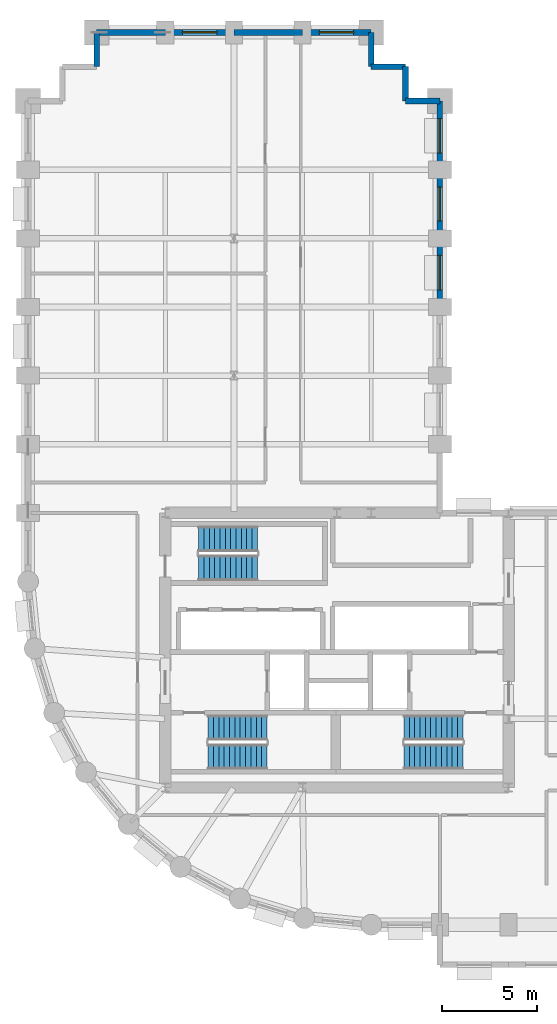
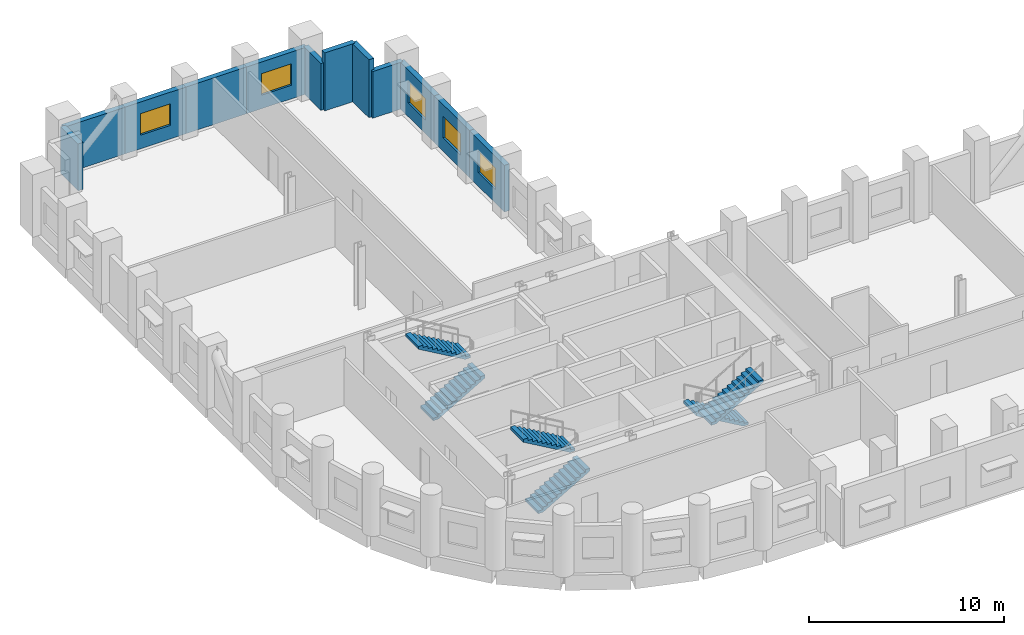
# One storey, part 9 of 12: 12 walls, 6 stair flights, 5 windows, 5 openings, 3 elements without a shape of their own.
"""IFC4 building model written with IfcOpenShell, lengths in metres."""

from ifc_helpers import new_model, si_unit, direction, frame, frame_2d, origin, place, context, subcontext, project, spatial, polyline, rectangle, outline, extrude, material, layer, layer_set, type_object, element, fill, aggregate, save


model = new_model("IFC4")

# Units and contexts
model_context = context("Model", 3, precision=1e-05, world=origin(), true_north=direction((0.0, 1.0)))
body_context = subcontext(model_context, "Body", "Model", "MODEL_VIEW")
ifc_project = project(units=[si_unit("LENGTHUNIT", "METRE"), si_unit("AREAUNIT", "SQUARE_METRE"), si_unit("VOLUMEUNIT", "CUBIC_METRE"), si_unit("PLANEANGLEUNIT", "RADIAN"), si_unit("MASSUNIT", "GRAM", prefix="KILO")], contexts=[model_context])

# Site, building, storey
site_placement = place(None, origin())
site = spatial("IfcSite", under=ifc_project, at=site_placement, CompositionType="ELEMENT")
building_placement = place(site_placement, origin())
building = spatial("IfcBuilding", under=site, at=building_placement, Name="Solnavia Interchange Tower", CompositionType="ELEMENT")
storey_placement = place(building_placement, frame((0.0, 0.0, 31.800048828125)))
storey = spatial("IfcBuildingStorey", under=building, at=storey_placement, Name="L07", CompositionType="ELEMENT", Elevation=31.800048828125)

# Wall, opening, window
ifc_material_1 = material(Name="Concrete C40/50", Category="concrete")
ifc_layer = layer(ifc_material_1, 0.300048828125)
ifc_layer_set = layer_set([ifc_layer], Name="Concrete C40/50")
wall_type = type_object("IfcWallType", Name="Wall-ExtSpandrel-300", PredefinedType="STANDARD", material=ifc_layer_set)
wall_1_placement = place(storey_placement, frame((28.800048828125, 36.0, 0.0), z_axis=(0.0, 0.0, 1.0), x_axis=(0.0, 1.0, 0.0)))
wall_1 = element("IfcWall", 1, at=wall_1_placement, inside=storey, type_object=wall_type, Name="EXW-L07-35 Exterior precast spandrel wall", PredefinedType="STANDARD", context=body_context, shape_type="SweptSolid", body=[
    extrude(rectangle(XDim=3.60009765625, YDim=0.300048828125, at=frame_2d((1.800048828125, 0.0))), origin(), (0.0, 0.0, 1.0), 2.929931640625),
])
opening_1_placement = place(wall_1_placement, frame((0.89990234375, 0.0, 0.85009765625)))
opening_1 = element("IfcOpeningElement", 2, at=opening_1_placement, cuts=wall_1, Name="Opening WIN-02", PredefinedType="OPENING", context=body_context, shape_type="SweptSolid", body=[
    extrude(rectangle(XDim=1.800048828125, YDim=1.35009765625, at=frame_2d((0.89990234375, 0.675048828125))), frame((0.0, 0.16015625, 0.0), z_axis=(0.0, -1.0, 0.0), x_axis=(1.0, 0.0, 0.0)), (0.0, 0.0, 1.0), 0.320068359375),
])
ifc_material_2 = material(Name="Thermal-Break Aluminium & Low-E Glass", Category="aluminium")
window_type = type_object("IfcWindowType", Name="Window-Ribbon-1800x1350", PartitioningType="SINGLE_PANEL", PredefinedType="WINDOW", material=ifc_material_2)
window_1_placement = place(opening_1_placement, origin())
window_1 = element("IfcWindow", 3, at=window_1_placement, inside=storey, type_object=window_type, Name="WIN-L07-35 Facade ribbon window", OverallHeight=1.35009765625, OverallWidth=1.800048828125, PartitioningType="SINGLE_PANEL", PredefinedType="WINDOW", context=body_context, shape_type="SweptSolid", body=[
    extrude(rectangle(XDim=1.800048828125, YDim=1.35009765625, at=frame_2d((0.89990234375, 0.675048828125))), frame((0.0, 0.030029296875, 0.0), z_axis=(0.0, -1.0, 0.0), x_axis=(1.0, 0.0, 0.0)), (0.0, 0.0, 1.0), 0.06005859375),
])
fill(opening_1, window_1)

wall_2_placement = place(storey_placement, frame((28.800048828125, 39.60009765625, 0.0), z_axis=(0.0, 0.0, 1.0), x_axis=(0.0, 1.0, 0.0)))
wall_2 = element("IfcWall", 4, at=wall_2_placement, inside=storey, type_object=wall_type, Name="EXW-L07-36 Exterior precast spandrel wall", PredefinedType="STANDARD", context=body_context, shape_type="SweptSolid", body=[
    extrude(rectangle(XDim=3.599853515625, YDim=0.300048828125, at=frame_2d((1.7998046875, 0.0))), origin(), (0.0, 0.0, 1.0), 2.929931640625),
])
opening_2_placement = place(wall_2_placement, frame((0.89990234375, 0.0, 0.85009765625)))
opening_2 = element("IfcOpeningElement", 5, at=opening_2_placement, cuts=wall_2, Name="Opening WIN-02", PredefinedType="OPENING", context=body_context, shape_type="SweptSolid", body=[
    extrude(rectangle(XDim=1.800048828125, YDim=1.35009765625, at=frame_2d((0.89990234375, 0.675048828125))), frame((0.0, 0.16015625, 0.0), z_axis=(0.0, -1.0, 0.0), x_axis=(1.0, 0.0, 0.0)), (0.0, 0.0, 1.0), 0.320068359375),
])
window_2_placement = place(opening_2_placement, origin())
window_2 = element("IfcWindow", 6, at=window_2_placement, inside=storey, type_object=window_type, Name="WIN-L07-36 Facade ribbon window", OverallHeight=1.35009765625, OverallWidth=1.800048828125, PartitioningType="SINGLE_PANEL", PredefinedType="WINDOW", context=body_context, shape_type="SweptSolid", body=[
    extrude(rectangle(XDim=1.800048828125, YDim=1.35009765625, at=frame_2d((0.89990234375, 0.675048828125))), frame((0.0, 0.030029296875, 0.0), z_axis=(0.0, -1.0, 0.0), x_axis=(1.0, 0.0, 0.0)), (0.0, 0.0, 1.0), 0.06005859375),
])
fill(opening_2, window_2)

wall_3_placement = place(storey_placement, frame((28.800048828125, 43.199951171875, 0.0), z_axis=(0.0, 0.0, 1.0), x_axis=(0.0, 1.0, 0.0)))
wall_3 = element("IfcWall", 7, at=wall_3_placement, inside=storey, type_object=wall_type, Name="EXW-L07-37 Exterior precast spandrel wall", PredefinedType="STANDARD", context=body_context, shape_type="SweptSolid", body=[
    extrude(rectangle(XDim=3.60009765625, YDim=0.300048828125, at=frame_2d((1.800048828125, 0.0))), origin(), (0.0, 0.0, 1.0), 2.929931640625),
])
opening_3_placement = place(wall_3_placement, frame((0.875, 0.0, 0.85009765625)))
opening_3 = element("IfcOpeningElement", 8, at=opening_3_placement, cuts=wall_3, Name="Opening WIN-02", PredefinedType="OPENING", context=body_context, shape_type="SweptSolid", body=[
    extrude(rectangle(XDim=1.800048828125, YDim=1.35009765625, at=frame_2d((0.89990234375, 0.675048828125))), frame((0.0, 0.16015625, 0.0), z_axis=(0.0, -1.0, 0.0), x_axis=(1.0, 0.0, 0.0)), (0.0, 0.0, 1.0), 0.320068359375),
])
window_3_placement = place(opening_3_placement, origin())
window_3 = element("IfcWindow", 9, at=window_3_placement, inside=storey, type_object=window_type, Name="WIN-L07-37 Facade ribbon window", OverallHeight=1.35009765625, OverallWidth=1.800048828125, PartitioningType="SINGLE_PANEL", PredefinedType="WINDOW", context=body_context, shape_type="SweptSolid", body=[
    extrude(rectangle(XDim=1.800048828125, YDim=1.35009765625, at=frame_2d((0.89990234375, 0.675048828125))), frame((0.0, 0.030029296875, 0.0), z_axis=(0.0, -1.0, 0.0), x_axis=(1.0, 0.0, 0.0)), (0.0, 0.0, 1.0), 0.06005859375),
])
fill(opening_3, window_3)

# Walls
wall_4_placement = place(storey_placement, frame((27.0, 46.800048828125, 0.0), z_axis=(0.0, 0.0, 1.0), x_axis=(1.0, 0.0, 0.0)))
element("IfcWall", 10, at=wall_4_placement, inside=storey, type_object=wall_type, Name="EXW-L07-38 Exterior precast spandrel wall", PredefinedType="STANDARD", context=body_context, shape_type="SweptSolid", body=[
    extrude(rectangle(XDim=1.800048828125, YDim=0.300048828125, at=frame_2d((0.89990234375, 0.0))), origin(), (0.0, 0.0, 1.0), 2.929931640625),
])
for number, where, z_axis, x_axis, name in (
    (11, (27.0, 46.800048828125, 0.0), (0.0, 0.0, 1.0), (0.0, 1.0, 0.0), "EXW-L07-39 Exterior precast spandrel wall"),
    (12, (25.199951171875, 48.60009765625, 0.0), (0.0, 0.0, 1.0), (1.0, 0.0, 0.0), "EXW-L07-40 Exterior precast spandrel wall"),
):
    element("IfcWall", number, at=place(storey_placement, frame(where, z_axis=z_axis, x_axis=x_axis)), inside=storey, type_object=wall_type, Name=name, PredefinedType="STANDARD", context=body_context, shape_type="SweptSolid", body=[
        extrude(rectangle(XDim=1.800048828125, YDim=0.300048828125, at=frame_2d((0.89990234375, 0.0))), origin(), (0.0, 0.0, 1.0), 3.635009765625),
    ])
wall_5_placement = place(storey_placement, frame((25.199951171875, 48.60009765625, 0.0), z_axis=(0.0, 0.0, 1.0), x_axis=(0.0, 1.0, 0.0)))
element("IfcWall", 13, at=wall_5_placement, inside=storey, type_object=wall_type, Name="EXW-L07-41 Exterior precast spandrel wall", PredefinedType="STANDARD", context=body_context, shape_type="SweptSolid", body=[
    extrude(rectangle(XDim=1.7998046875, YDim=0.300048828125, at=frame_2d((0.89990234375, 0.0))), origin(), (0.0, 0.0, 1.0), 2.929931640625),
])

# Wall, opening, window
wall_6_placement = place(storey_placement, frame((21.60009765625, 50.39990234375, 0.0), z_axis=(0.0, 0.0, 1.0), x_axis=(1.0, 0.0, 0.0)))
wall_6 = element("IfcWall", 14, at=wall_6_placement, inside=storey, type_object=wall_type, Name="EXW-L07-42 Exterior precast spandrel wall", PredefinedType="STANDARD", context=body_context, shape_type="SweptSolid", body=[
    extrude(rectangle(XDim=3.599853515625, YDim=0.300048828125, at=frame_2d((1.7998046875, 0.0))), origin(), (0.0, 0.0, 1.0), 2.929931640625),
])
opening_4_placement = place(wall_6_placement, frame((0.875, 0.0, 0.85009765625)))
opening_4 = element("IfcOpeningElement", 15, at=opening_4_placement, cuts=wall_6, Name="Opening WIN-02", PredefinedType="OPENING", context=body_context, shape_type="SweptSolid", body=[
    extrude(rectangle(XDim=1.800048828125, YDim=1.35009765625, at=frame_2d((0.89990234375, 0.675048828125))), frame((0.0, 0.16015625, 0.0), z_axis=(0.0, -1.0, 0.0), x_axis=(1.0, 0.0, 0.0)), (0.0, 0.0, 1.0), 0.320068359375),
])
window_4_placement = place(opening_4_placement, origin())
window_4 = element("IfcWindow", 16, at=window_4_placement, inside=storey, type_object=window_type, Name="WIN-L07-42 Facade ribbon window", OverallHeight=1.35009765625, OverallWidth=1.800048828125, PartitioningType="SINGLE_PANEL", PredefinedType="WINDOW", context=body_context, shape_type="SweptSolid", body=[
    extrude(rectangle(XDim=1.800048828125, YDim=1.35009765625, at=frame_2d((0.89990234375, 0.675048828125))), frame((0.0, 0.030029296875, 0.0), z_axis=(0.0, -1.0, 0.0), x_axis=(1.0, 0.0, 0.0)), (0.0, 0.0, 1.0), 0.06005859375),
])
fill(opening_4, window_4)

# Wall
wall_7_placement = place(storey_placement, frame((18.0, 50.39990234375, 0.0), z_axis=(0.0, 0.0, 1.0), x_axis=(1.0, 0.0, 0.0)))
element("IfcWall", 17, at=wall_7_placement, inside=storey, type_object=wall_type, Name="EXW-L07-43 Exterior precast spandrel wall", PredefinedType="STANDARD", context=body_context, shape_type="SweptSolid", body=[
    extrude(rectangle(XDim=3.60009765625, YDim=0.300048828125, at=frame_2d((1.800048828125, 0.0))), origin(), (0.0, 0.0, 1.0), 2.929931640625),
])

# Wall, opening, window
wall_8_placement = place(storey_placement, frame((14.39990234375, 50.39990234375, 0.0), z_axis=(0.0, 0.0, 1.0), x_axis=(1.0, 0.0, 0.0)))
wall_8 = element("IfcWall", 18, at=wall_8_placement, inside=storey, type_object=wall_type, Name="EXW-L07-44 Exterior precast spandrel wall", PredefinedType="STANDARD", context=body_context, shape_type="SweptSolid", body=[
    extrude(rectangle(XDim=3.60009765625, YDim=0.300048828125, at=frame_2d((1.800048828125, 0.0))), origin(), (0.0, 0.0, 1.0), 2.929931640625),
])
opening_5_placement = place(wall_8_placement, frame((0.89990234375, 0.0, 0.85009765625)))
opening_5 = element("IfcOpeningElement", 19, at=opening_5_placement, cuts=wall_8, Name="Opening WIN-02", PredefinedType="OPENING", context=body_context, shape_type="SweptSolid", body=[
    extrude(rectangle(XDim=1.800048828125, YDim=1.35009765625, at=frame_2d((0.89990234375, 0.675048828125))), frame((0.0, 0.16015625, 0.0), z_axis=(0.0, -1.0, 0.0), x_axis=(1.0, 0.0, 0.0)), (0.0, 0.0, 1.0), 0.320068359375),
])
window_5_placement = place(opening_5_placement, origin())
window_5 = element("IfcWindow", 20, at=window_5_placement, inside=storey, type_object=window_type, Name="WIN-L07-44 Facade ribbon window", OverallHeight=1.35009765625, OverallWidth=1.800048828125, PartitioningType="SINGLE_PANEL", PredefinedType="WINDOW", context=body_context, shape_type="SweptSolid", body=[
    extrude(rectangle(XDim=1.800048828125, YDim=1.35009765625, at=frame_2d((0.89990234375, 0.675048828125))), frame((0.0, 0.030029296875, 0.0), z_axis=(0.0, -1.0, 0.0), x_axis=(1.0, 0.0, 0.0)), (0.0, 0.0, 1.0), 0.06005859375),
])
fill(opening_5, window_5)

# Walls
wall_9_placement = place(storey_placement, frame((10.800048828125, 50.39990234375, 0.0), z_axis=(0.0, 0.0, 1.0), x_axis=(1.0, 0.0, 0.0)))
element("IfcWall", 21, at=wall_9_placement, inside=storey, type_object=wall_type, Name="EXW-L07-45 Exterior precast spandrel wall", PredefinedType="STANDARD", context=body_context, shape_type="SweptSolid", body=[
    extrude(rectangle(XDim=3.599853515625, YDim=0.300048828125, at=frame_2d((1.7998046875, 0.0))), origin(), (0.0, 0.0, 1.0), 2.929931640625),
])
wall_10_placement = place(storey_placement, frame((10.800048828125, 48.60009765625, 0.0), z_axis=(0.0, 0.0, 1.0), x_axis=(0.0, 1.0, 0.0)))
element("IfcWall", 22, at=wall_10_placement, inside=storey, type_object=wall_type, Name="EXW-L07-46 Exterior precast spandrel wall", PredefinedType="STANDARD", context=body_context, shape_type="SweptSolid", body=[
    extrude(rectangle(XDim=1.7998046875, YDim=0.300048828125, at=frame_2d((0.89990234375, 0.0))), origin(), (0.0, 0.0, 1.0), 2.929931640625),
])

# Stair, stair flights
stair_type = type_object("IfcStairType", Name="Stair-Dogleg-RC", PredefinedType="HALF_TURN_STAIR", material=ifc_material_1)
stair_1_placement = place(storey_placement, origin())
stair_1 = element("IfcStair", 23, at=stair_1_placement, inside=storey, type_object=stair_type, Name="L07 Core exit stair 1", PredefinedType="HALF_TURN_STAIR")
stair_flight_type = type_object("IfcStairFlightType", Name="StairFlight-RC-150", PredefinedType="STRAIGHT", material=ifc_material_1)
stair_flight_1_placement = place(storey_placement, frame((16.64990234375, 12.409912109375, 0.0), z_axis=(0.0, 0.0, 1.0), x_axis=(1.0, 0.0, 0.0)))
stair_flight_1 = element("IfcStairFlight", 24, at=stair_flight_1_placement, type_object=stair_flight_type, Name="ST-1 flight 1", NumberOfRisers=12, NumberOfTreads=11, PredefinedType="STRAIGHT", RiserHeight=0.1625, TreadLength=0.28, context=body_context, shape_type="SweptSolid", body=[
    extrude(outline(polyline([(0.0, 0.0), (0.0, 0.16259765625), (0.280029296875, 0.16259765625), (0.280029296875, 0.324951171875), (0.56005859375, 0.324951171875), (0.56005859375, 0.487548828125), (0.840087890625, 0.487548828125), (0.840087890625, 0.64990234375), (1.1201171875, 0.64990234375), (1.1201171875, 0.8125), (1.39990234375, 0.8125), (1.39990234375, 0.97509765625), (1.679931640625, 0.97509765625), (1.679931640625, 1.137451171875), (1.9599609375, 1.137451171875), (1.9599609375, 1.300048828125), (2.239990234375, 1.300048828125), (2.239990234375, 1.46240234375), (2.52001953125, 1.46240234375), (2.52001953125, 1.625), (2.800048828125, 1.625), (2.800048828125, 1.78759765625), (3.080078125, 1.78759765625), (3.080078125, 1.949951171875), (3.080078125, 1.6142578125), (0.298583984375, 0.0), (0.0, 0.0)])), frame((0.0, 0.66015625, 0.0), z_axis=(0.0, -1.0, 0.0), x_axis=(1.0, 0.0, 0.0)), (0.0, 0.0, 1.0), 1.320068359375),
])
stair_flight_2_placement = place(storey_placement, frame((19.72998046875, 13.929931640625, 1.949951171875), z_axis=(0.0, 0.0, 1.0), x_axis=(-1.0, 0.0, 0.0)))
stair_flight_2 = element("IfcStairFlight", 25, at=stair_flight_2_placement, type_object=stair_flight_type, Name="ST-1 flight 2", NumberOfRisers=12, NumberOfTreads=11, PredefinedType="STRAIGHT", RiserHeight=0.1625, TreadLength=0.28, context=body_context, shape_type="SweptSolid", body=[
    extrude(outline(polyline([(0.0, 0.0), (0.0, 0.16259765625), (0.280029296875, 0.16259765625), (0.280029296875, 0.324951171875), (0.56005859375, 0.324951171875), (0.56005859375, 0.487548828125), (0.840087890625, 0.487548828125), (0.840087890625, 0.64990234375), (1.1201171875, 0.64990234375), (1.1201171875, 0.8125), (1.39990234375, 0.8125), (1.39990234375, 0.97509765625), (1.679931640625, 0.97509765625), (1.679931640625, 1.137451171875), (1.9599609375, 1.137451171875), (1.9599609375, 1.300048828125), (2.239990234375, 1.300048828125), (2.239990234375, 1.46240234375), (2.52001953125, 1.46240234375), (2.52001953125, 1.625), (2.800048828125, 1.625), (2.800048828125, 1.78759765625), (3.080078125, 1.78759765625), (3.080078125, 1.949951171875), (3.080078125, 1.6142578125), (0.298583984375, 0.0), (0.0, 0.0)])), frame((0.0, 0.66015625, 0.0), z_axis=(0.0, -1.0, 0.0), x_axis=(1.0, 0.0, 0.0)), (0.0, 0.0, 1.0), 1.320068359375),
])
aggregate(stair_1, [stair_flight_1, stair_flight_2])

stair_2_placement = place(storey_placement, origin())
stair_2 = element("IfcStair", 26, at=stair_2_placement, inside=storey, type_object=stair_type, Name="L07 Core exit stair 2", PredefinedType="HALF_TURN_STAIR")
stair_flight_3_placement = place(storey_placement, frame((30.0, 13.929931640625, 0.0), z_axis=(0.0, 0.0, 1.0), x_axis=(-1.0, 0.0, 0.0)))
stair_flight_3 = element("IfcStairFlight", 27, at=stair_flight_3_placement, type_object=stair_flight_type, Name="ST-2 flight 1", NumberOfRisers=12, NumberOfTreads=11, PredefinedType="STRAIGHT", RiserHeight=0.1625, TreadLength=0.28, context=body_context, shape_type="SweptSolid", body=[
    extrude(outline(polyline([(0.0, 0.0), (0.0, 0.16259765625), (0.280029296875, 0.16259765625), (0.280029296875, 0.324951171875), (0.56005859375, 0.324951171875), (0.56005859375, 0.487548828125), (0.840087890625, 0.487548828125), (0.840087890625, 0.64990234375), (1.1201171875, 0.64990234375), (1.1201171875, 0.8125), (1.39990234375, 0.8125), (1.39990234375, 0.97509765625), (1.679931640625, 0.97509765625), (1.679931640625, 1.137451171875), (1.9599609375, 1.137451171875), (1.9599609375, 1.300048828125), (2.239990234375, 1.300048828125), (2.239990234375, 1.46240234375), (2.52001953125, 1.46240234375), (2.52001953125, 1.625), (2.800048828125, 1.625), (2.800048828125, 1.78759765625), (3.080078125, 1.78759765625), (3.080078125, 1.949951171875), (3.080078125, 1.6142578125), (0.298583984375, 0.0), (0.0, 0.0)])), frame((0.0, 0.66015625, 0.0), z_axis=(0.0, -1.0, 0.0), x_axis=(1.0, 0.0, 0.0)), (0.0, 0.0, 1.0), 1.320068359375),
])
stair_flight_4_placement = place(storey_placement, frame((26.919921875, 12.409912109375, 1.949951171875), z_axis=(0.0, 0.0, 1.0), x_axis=(1.0, 0.0, 0.0)))
stair_flight_4 = element("IfcStairFlight", 28, at=stair_flight_4_placement, type_object=stair_flight_type, Name="ST-2 flight 2", NumberOfRisers=12, NumberOfTreads=11, PredefinedType="STRAIGHT", RiserHeight=0.1625, TreadLength=0.28, context=body_context, shape_type="SweptSolid", body=[
    extrude(outline(polyline([(0.0, 0.0), (0.0, 0.16259765625), (0.280029296875, 0.16259765625), (0.280029296875, 0.324951171875), (0.56005859375, 0.324951171875), (0.56005859375, 0.487548828125), (0.840087890625, 0.487548828125), (0.840087890625, 0.64990234375), (1.1201171875, 0.64990234375), (1.1201171875, 0.8125), (1.39990234375, 0.8125), (1.39990234375, 0.97509765625), (1.679931640625, 0.97509765625), (1.679931640625, 1.137451171875), (1.9599609375, 1.137451171875), (1.9599609375, 1.300048828125), (2.239990234375, 1.300048828125), (2.239990234375, 1.46240234375), (2.52001953125, 1.46240234375), (2.52001953125, 1.625), (2.800048828125, 1.625), (2.800048828125, 1.78759765625), (3.080078125, 1.78759765625), (3.080078125, 1.949951171875), (3.080078125, 1.6142578125), (0.298583984375, 0.0), (0.0, 0.0)])), frame((0.0, 0.66015625, 0.0), z_axis=(0.0, -1.0, 0.0), x_axis=(1.0, 0.0, 0.0)), (0.0, 0.0, 1.0), 1.320068359375),
])
aggregate(stair_2, [stair_flight_3, stair_flight_4])

stair_3_placement = place(storey_placement, origin())
stair_3 = element("IfcStair", 29, at=stair_3_placement, inside=storey, type_object=stair_type, Name="L07 Core exit stair 3", PredefinedType="HALF_TURN_STAIR")
stair_flight_5_placement = place(storey_placement, frame((16.14990234375, 22.31005859375, 0.0), z_axis=(0.0, 0.0, 1.0), x_axis=(1.0, 0.0, 0.0)))
stair_flight_5 = element("IfcStairFlight", 30, at=stair_flight_5_placement, type_object=stair_flight_type, Name="ST-3 flight 1", NumberOfRisers=12, NumberOfTreads=11, PredefinedType="STRAIGHT", RiserHeight=0.1625, TreadLength=0.28, context=body_context, shape_type="SweptSolid", body=[
    extrude(outline(polyline([(0.0, 0.0), (0.0, 0.16259765625), (0.280029296875, 0.16259765625), (0.280029296875, 0.324951171875), (0.56005859375, 0.324951171875), (0.56005859375, 0.487548828125), (0.840087890625, 0.487548828125), (0.840087890625, 0.64990234375), (1.1201171875, 0.64990234375), (1.1201171875, 0.8125), (1.39990234375, 0.8125), (1.39990234375, 0.97509765625), (1.679931640625, 0.97509765625), (1.679931640625, 1.137451171875), (1.9599609375, 1.137451171875), (1.9599609375, 1.300048828125), (2.239990234375, 1.300048828125), (2.239990234375, 1.46240234375), (2.52001953125, 1.46240234375), (2.52001953125, 1.625), (2.800048828125, 1.625), (2.800048828125, 1.78759765625), (3.080078125, 1.78759765625), (3.080078125, 1.949951171875), (3.080078125, 1.6142578125), (0.298583984375, 0.0), (0.0, 0.0)])), frame((0.0, 0.66015625, 0.0), z_axis=(0.0, -1.0, 0.0), x_axis=(1.0, 0.0, 0.0)), (0.0, 0.0, 1.0), 1.320068359375),
])
stair_flight_6_placement = place(storey_placement, frame((19.22998046875, 23.830078125, 1.949951171875), z_axis=(0.0, 0.0, 1.0), x_axis=(-1.0, 0.0, 0.0)))
stair_flight_6 = element("IfcStairFlight", 31, at=stair_flight_6_placement, type_object=stair_flight_type, Name="ST-3 flight 2", NumberOfRisers=12, NumberOfTreads=11, PredefinedType="STRAIGHT", RiserHeight=0.1625, TreadLength=0.28, context=body_context, shape_type="SweptSolid", body=[
    extrude(outline(polyline([(0.0, 0.0), (0.0, 0.16259765625), (0.280029296875, 0.16259765625), (0.280029296875, 0.324951171875), (0.56005859375, 0.324951171875), (0.56005859375, 0.487548828125), (0.840087890625, 0.487548828125), (0.840087890625, 0.64990234375), (1.1201171875, 0.64990234375), (1.1201171875, 0.8125), (1.39990234375, 0.8125), (1.39990234375, 0.97509765625), (1.679931640625, 0.97509765625), (1.679931640625, 1.137451171875), (1.9599609375, 1.137451171875), (1.9599609375, 1.300048828125), (2.239990234375, 1.300048828125), (2.239990234375, 1.46240234375), (2.52001953125, 1.46240234375), (2.52001953125, 1.625), (2.800048828125, 1.625), (2.800048828125, 1.78759765625), (3.080078125, 1.78759765625), (3.080078125, 1.949951171875), (3.080078125, 1.6142578125), (0.298583984375, 0.0), (0.0, 0.0)])), frame((0.0, 0.66015625, 0.0), z_axis=(0.0, -1.0, 0.0), x_axis=(1.0, 0.0, 0.0)), (0.0, 0.0, 1.0), 1.320068359375),
])
aggregate(stair_3, [stair_flight_5, stair_flight_6])

save(model, "model.ifc")
